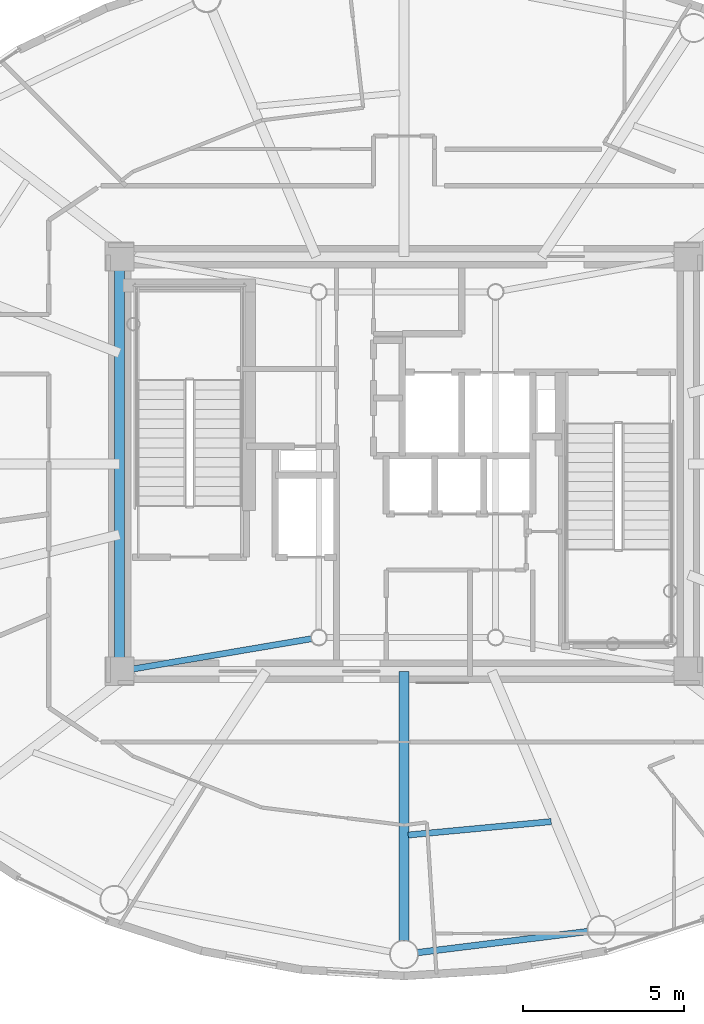
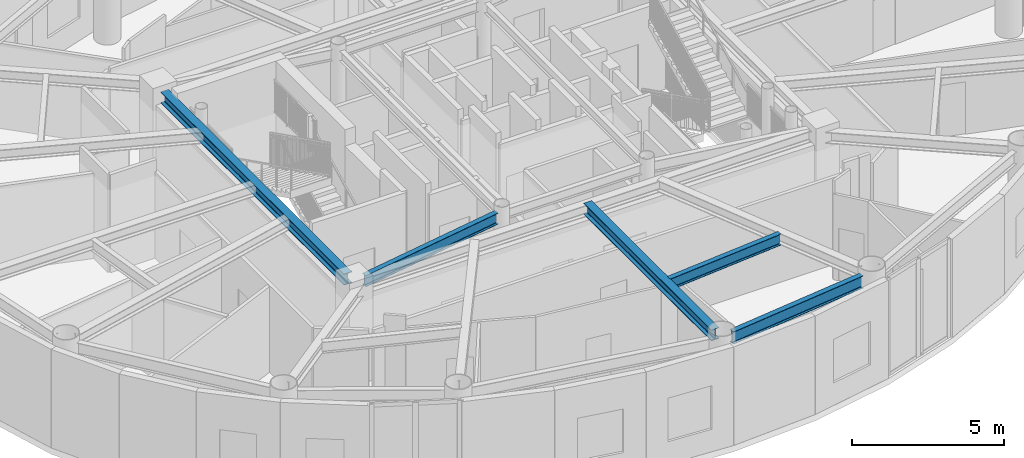
# One storey, part 5 of 24: 5 beams.
"""IFC4 building model written with IfcOpenShell, lengths in metres."""

from ifc_helpers import new_model, si_unit, direction, frame, origin, origin_2d, place, context, subcontext, project, spatial, i_section, extrude, material, material_profile, profile_set, type_object, element, save


model = new_model("IFC4")

# Units and contexts
model_context = context("Model", 3, precision=1e-05, world=origin(), true_north=direction((0.0, 1.0)))
body_context = subcontext(model_context, "Body", "Model", "MODEL_VIEW")
ifc_project = project(units=[si_unit("LENGTHUNIT", "METRE"), si_unit("AREAUNIT", "SQUARE_METRE"), si_unit("VOLUMEUNIT", "CUBIC_METRE"), si_unit("PLANEANGLEUNIT", "RADIAN"), si_unit("MASSUNIT", "GRAM", prefix="KILO")], contexts=[model_context])

# Site, building, storey
site_placement = place(None, origin())
site = spatial("IfcSite", under=ifc_project, at=site_placement, CompositionType="ELEMENT")
building_placement = place(site_placement, origin())
building = spatial("IfcBuilding", under=site, at=building_placement, Name="Linh Dai School and Residence Tower", CompositionType="ELEMENT")
storey_placement = place(building_placement, frame((0.0, 0.0, 355.199951171875)))
storey = spatial("IfcBuildingStorey", under=building, at=storey_placement, Name="L88", CompositionType="ELEMENT", Elevation=355.199951171875)

# Beams
ifc_material = material(Name="Structural Steel S355JR", Category="steel")
ifc_material_profile_1 = material_profile(ifc_material, i_section(OverallWidth=0.199951171875, OverallDepth=0.5, WebThickness=0.01025390625, FlangeThickness=0.01611328125, FilletRadius=0.02099609375, at=origin_2d()), Name="IPE 500")
ifc_profile_set_1 = profile_set([ifc_material_profile_1], Name="Structural Steel S355JR")
beam_type_1 = type_object("IfcBeamType", Name="BM-RB50", PredefinedType="BEAM", material=ifc_profile_set_1)
beam_1_placement = place(storey_placement, frame((36.416748046875, 11.796630859375, 3.699951171875), z_axis=(0.992398979221, 0.123062041428, 0.0), x_axis=(-0.123062041428, 0.992398979221, 0.0)))
element("IfcBeam", 1, at=beam_1_placement, inside=storey, type_object=beam_type_1, Name="L88 Perimeter Elliptical Ring Beam 13", PredefinedType="BEAM", context=body_context, shape_type="SweptSolid", body=[
    extrude(i_section(OverallWidth=0.199951171875, OverallDepth=0.5, WebThickness=0.01025390625, FlangeThickness=0.01611328125, FilletRadius=0.02099609375, at=origin_2d()), origin(), (0.0, 0.0, 1.0), 5.344482421875),
])
ifc_material_profile_2 = material_profile(ifc_material, i_section(OverallWidth=0.300048828125, OverallDepth=0.449951171875, WebThickness=0.013916015625, FlangeThickness=0.02587890625, FilletRadius=0.027099609375, at=origin_2d()), Name="HEB 450")
ifc_profile_set_2 = profile_set([ifc_material_profile_2], Name="Structural Steel S355JR")
beam_type_2 = type_object("IfcBeamType", Name="BM-RG45", PredefinedType="BEAM", material=ifc_profile_set_2)
beam_2_placement = place(storey_placement, frame((27.14990234375, 33.030029296875, 3.72509765625), z_axis=(0.0, -1.0, 0.0), x_axis=(1.0, 0.0, 0.0)))
element("IfcBeam", 2, at=beam_2_placement, inside=storey, type_object=beam_type_2, Name="L88 Core Perimeter Coupling Girder 4", PredefinedType="BEAM", context=body_context, shape_type="SweptSolid", body=[
    extrude(i_section(OverallWidth=0.300048828125, OverallDepth=0.449951171875, WebThickness=0.013916015625, FlangeThickness=0.02587890625, FilletRadius=0.027099609375, at=origin_2d()), origin(), (0.0, 0.0, 1.0), 12.06005859375),
])
beam_3_placement = place(storey_placement, frame((36.0, 20.550048828125, 3.72509765625), z_axis=(0.0, -1.0, 0.0), x_axis=(1.0, 0.0, 0.0)))
element("IfcBeam", 3, at=beam_3_placement, inside=storey, type_object=beam_type_2, Name="L88 Primary Radial Floor Girder 13", PredefinedType="BEAM", context=body_context, shape_type="SweptSolid", body=[
    extrude(i_section(OverallWidth=0.300048828125, OverallDepth=0.449951171875, WebThickness=0.013916015625, FlangeThickness=0.02587890625, FilletRadius=0.027099609375, at=origin_2d()), origin(), (0.0, 0.0, 1.0), 8.385009765625),
])
ifc_material_profile_3 = material_profile(ifc_material, i_section(OverallWidth=0.18994140625, OverallDepth=0.449951171875, WebThickness=0.009521484375, FlangeThickness=0.0146484375, FilletRadius=0.02099609375, at=origin_2d()), Name="IPE 450")
ifc_profile_set_3 = profile_set([ifc_material_profile_3], Name="Structural Steel S355JR")
beam_type_3 = type_object("IfcBeamType", Name="BM-SB45", PredefinedType="BEAM", material=ifc_profile_set_3)
beam_4_placement = place(storey_placement, frame((27.564208984375, 20.6201171875, 3.72509765625), z_axis=(0.98596270559, 0.166965694638, 0.0), x_axis=(-0.166965694638, 0.98596270559, 0.0)))
element("IfcBeam", 4, at=beam_4_placement, inside=storey, type_object=beam_type_3, Name="L88 Core Corner-to-Mast Pier Beam 1", PredefinedType="BEAM", context=body_context, shape_type="SweptSolid", body=[
    extrude(i_section(OverallWidth=0.18994140625, OverallDepth=0.449951171875, WebThickness=0.009521484375, FlangeThickness=0.0146484375, FilletRadius=0.02099609375, at=origin_2d()), origin(), (0.0, 0.0, 1.0), 5.644287109375),
])
beam_5_placement = place(storey_placement, frame((36.12939453125, 15.455322265625, 3.72509765625), z_axis=(0.995634384765, 0.093339015817, 0.0), x_axis=(-0.093339015817, 0.995634384765, 0.0)))
element("IfcBeam", 5, at=beam_5_placement, inside=storey, type_object=beam_type_3, Name="L88 Secondary Circumferential Floor Beam 07", PredefinedType="BEAM", context=body_context, shape_type="SweptSolid", body=[
    extrude(i_section(OverallWidth=0.18994140625, OverallDepth=0.449951171875, WebThickness=0.009521484375, FlangeThickness=0.0146484375, FilletRadius=0.02099609375, at=origin_2d()), origin(), (0.0, 0.0, 1.0), 4.467529296875),
])

save(model, "model.ifc")
